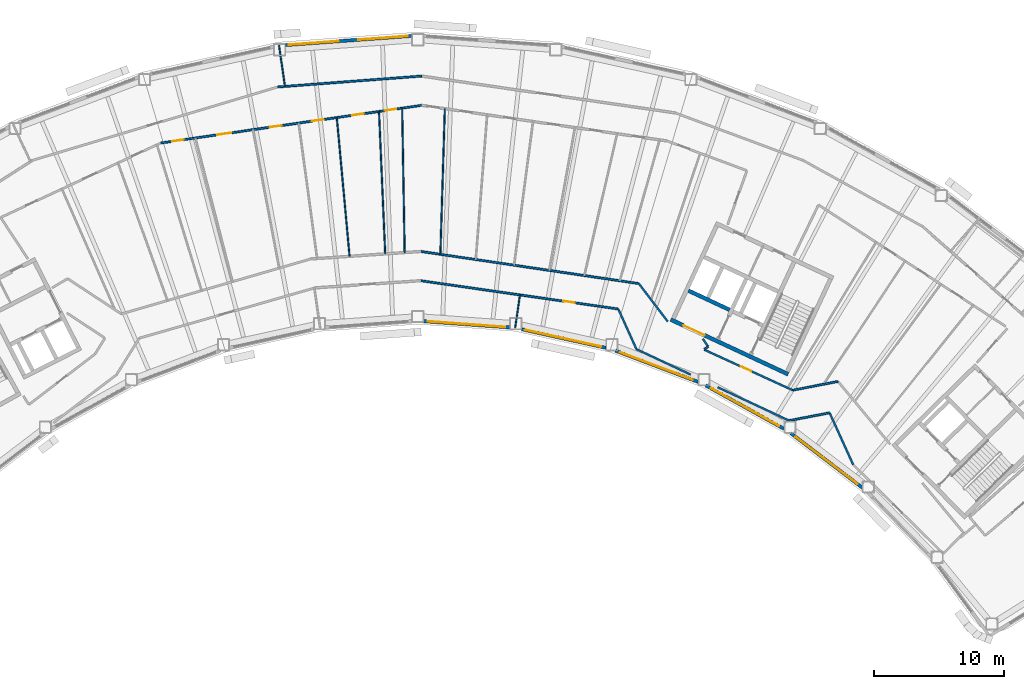
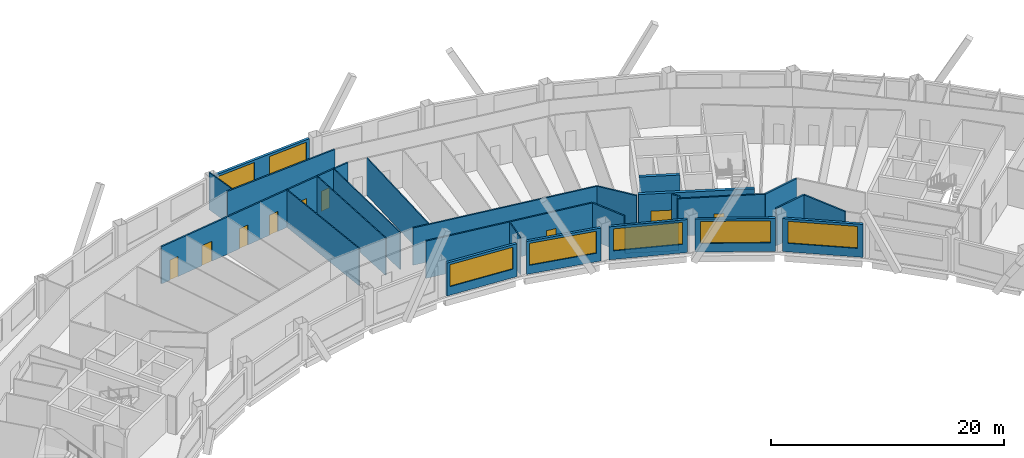
# One storey, part 8 of 14: 28 walls, 9 doors, 7 windows, 16 openings.
"""IFC4 building model written with IfcOpenShell, lengths in metres."""

import ifcopenshell
import ifcopenshell.guid

model = None  # the IFC model being written
_history = None  # IfcOwnerHistory: only IFC2X3 demands one
_inside = {}  # id of a spatial element -> (the spatial element, [elements in it])
_under = {}  # id of a project, library or spatial element -> (it, [spatial elements below it])
_declared = {}  # id of a project -> (the project, [libraries it declares])
_typed = {}  # id of a type object -> (the type object, [elements of that type])
_made_of = {}  # id of a material, layer set ... -> (it, [elements and type objects made of it])


def new_model(schema):
    """Start an empty IFC model of exactly this schema.

    Asked for "IFC4X3", IfcOpenShell would pick the latest addendum, in which some entities
    have other attributes; the version numbers below select the first issue.
    IFC2X3 requires an IfcOwnerHistory on every rooted entity: one is made here for all.
    """
    global model, _history
    if schema == "IFC4X3":
        model = ifcopenshell.file(schema_version=(4, 3, 0, 0))
    else:
        model = ifcopenshell.file(schema=schema)
    _inside.clear()
    _under.clear()
    _declared.clear()
    _typed.clear()
    _made_of.clear()
    _history = None
    if model.schema == "IFC2X3":
        org = make("IfcOrganization", Name="unknown")
        user = make(
            "IfcPersonAndOrganization",
            ThePerson=make("IfcPerson", FamilyName="unknown"),
            TheOrganization=org,
        )
        app = make(
            "IfcApplication",
            ApplicationDeveloper=org,
            Version="unknown",
            ApplicationFullName="unknown",
            ApplicationIdentifier="unknown",
        )
        _history = make(
            "IfcOwnerHistory",
            OwningUser=user,
            OwningApplication=app,
            ChangeAction="ADDED",
            CreationDate=0,
        )
    return model


def make(cls, **values):
    """One entity of the class cls with the attributes given. An attribute that is None is left unset."""
    return model.create_entity(
        cls, **{name: value for name, value in values.items() if value is not None}
    )


def rooted(cls, **values):
    """An entity with a GlobalId (a new one), such as an element, a storey or a relation."""
    return make(cls, GlobalId=ifcopenshell.guid.new(), OwnerHistory=_history, **values)


def si_unit(unit_type, name, prefix=None):
    """IfcSIUnit, for example si_unit("LENGTHUNIT", "METRE", prefix="MILLI")."""
    return make("IfcSIUnit", UnitType=unit_type, Prefix=prefix, Name=name)


def assignment(units):
    """IfcUnitAssignment: the units of a project."""
    return None if units is None else make("IfcUnitAssignment", Units=units)


def point(xyz):
    """IfcCartesianPoint."""
    return None if xyz is None else make("IfcCartesianPoint", Coordinates=xyz)


def direction(xyz):
    """IfcDirection."""
    return None if xyz is None else make("IfcDirection", DirectionRatios=xyz)


def frame(location, z_axis=None, x_axis=None):
    """IfcAxis2Placement3D, a coordinate frame: its origin and axes. An axis left out is left unset."""
    return make(
        "IfcAxis2Placement3D",
        Location=point(location),
        Axis=direction(z_axis),
        RefDirection=direction(x_axis),
    )


def frame_2d(location, x_axis=None):
    """IfcAxis2Placement2D, a coordinate frame in the plane: its origin and x axis."""
    return make(
        "IfcAxis2Placement2D", Location=point(location), RefDirection=direction(x_axis)
    )


def origin():
    """The frame at (0, 0, 0) with its axes left unset."""
    return frame((0.0, 0.0, 0.0))


def place(relative_to, where):
    """IfcLocalPlacement: puts the frame where relative to a parent placement (None: the world)."""
    return make(
        "IfcLocalPlacement", PlacementRelTo=relative_to, RelativePlacement=where
    )


def context(
    kind, dimensions, precision=None, world=None, true_north=None, identifier=None
):
    """IfcGeometricRepresentationContext, for example the 3D "Model" context."""
    return make(
        "IfcGeometricRepresentationContext",
        ContextIdentifier=identifier,
        ContextType=kind,
        CoordinateSpaceDimension=dimensions,
        Precision=precision,
        WorldCoordinateSystem=world,
        TrueNorth=true_north,
    )


def subcontext(parent, identifier, kind, view, scale=None):
    """IfcGeometricRepresentationSubContext, for example "Body" below "Model"."""
    return make(
        "IfcGeometricRepresentationSubContext",
        ContextIdentifier=identifier,
        ContextType=kind,
        ParentContext=parent,
        TargetScale=scale,
        TargetView=view,
    )


def project(units=None, contexts=None):
    """IfcProject with its units and contexts."""
    return rooted(
        "IfcProject",
        Name="project",
        RepresentationContexts=contexts,
        UnitsInContext=assignment(units),
    )


def spatial(cls, under=None, at=None, **own):
    """A site, building, storey or space (cls), placed at a placement, below another one or the project."""
    s = rooted(cls, ObjectPlacement=at, **own)
    if under is not None:
        _under.setdefault(under.id(), (under, []))[1].append(s)
    return s


def profile(cls, at=None, kind="AREA", **sizes):
    """A parametric profile (cls). Its sizes go by their IFC names, for example OverallWidth=200.0."""
    return make(cls, ProfileType=kind, Position=at, **sizes)


def rectangle(**sizes):
    """IfcRectangleProfileDef."""
    return profile("IfcRectangleProfileDef", **sizes)


def extrude(swept, where, along, depth):
    """IfcExtrudedAreaSolid: the profile swept, set in the frame where, extruded along a direction by depth."""
    return make(
        "IfcExtrudedAreaSolid",
        SweptArea=swept,
        Position=where,
        ExtrudedDirection=direction(along),
        Depth=depth,
    )


def shape(context_of_items, identifier, shape_type, items):
    """IfcShapeRepresentation: the items that make up one representation, for example the "Body"."""
    return make(
        "IfcShapeRepresentation",
        ContextOfItems=context_of_items,
        RepresentationIdentifier=identifier,
        RepresentationType=shape_type,
        Items=items,
    )


def material(Name=None, Category=None):
    """IfcMaterial."""
    return make("IfcMaterial", Name=Name, Category=Category)


def layer(
    of_material, thickness, ventilated=None, Name=None, Category=None, Priority=None
):
    """IfcMaterialLayer: one layer of a wall or slab, of a material (None: an air gap)."""
    return make(
        "IfcMaterialLayer",
        Material=of_material,
        LayerThickness=thickness,
        IsVentilated=ventilated,
        Name=Name,
        Category=Category,
        Priority=Priority,
    )


def layer_set(layers, Name=None):
    """IfcMaterialLayerSet."""
    return make("IfcMaterialLayerSet", MaterialLayers=layers, LayerSetName=Name)


def made_of(thing, what):
    """Note that an element or type object is made of a material, layer set ...; save() writes the relation."""
    if what is not None:
        _made_of.setdefault(what.id(), (what, []))[1].append(thing)
    return thing


def type_object(cls, material=None, **own):
    """A type object (cls), such as IfcWallType, which elements share."""
    return made_of(rooted(cls, **own), material)


def element(
    cls,
    number,
    at=None,
    inside=None,
    cuts=None,
    type_object=None,
    material=None,
    context=None,
    identifier="Body",
    shape_type=None,
    held_by="IfcProductDefinitionShape",
    body=None,
    shapes=None,
    **own,
):
    """One element of the class cls, such as IfcWall. Its Tag is "e" and its number.

    at: its placement. inside: the storey or other place that contains it. cuts: it is an
    opening in that element (IfcRelVoidsElement). A single representation is given by context,
    identifier, shape_type and body (its items); several are given by shapes. held_by: the class
    of the entity that holds the representations. save() writes the other relations.
    """
    e = rooted(cls, Tag="e%d" % number, ObjectPlacement=at, **own)
    if body is not None:
        shapes = [shape(context, identifier, shape_type, body)]
    if shapes is not None:
        e.Representation = make(held_by, Representations=shapes)
    if inside is not None:
        _inside.setdefault(inside.id(), (inside, []))[1].append(e)
    if cuts is not None:
        rooted(
            "IfcRelVoidsElement", RelatingBuildingElement=cuts, RelatedOpeningElement=e
        )
    if type_object is not None:
        _typed.setdefault(type_object.id(), (type_object, []))[1].append(e)
    return made_of(e, material)


def fill(opening, filler):
    """IfcRelFillsElement: the door or window that sits in an opening."""
    return rooted(
        "IfcRelFillsElement",
        RelatingOpeningElement=opening,
        RelatedBuildingElement=filler,
    )


def aggregate(whole, parts):
    """IfcRelAggregates: a whole, such as a stair, and the parts it consists of."""
    return rooted("IfcRelAggregates", RelatingObject=whole, RelatedObjects=parts)


def save(model, path):
    """Write the relations noted so far, then the file.

    IfcRelAggregates (storeys below a building ...), IfcRelContainedInSpatialStructure (elements
    in a storey), IfcRelDefinesByType, IfcRelAssociatesMaterial and IfcRelDeclares: one each for
    every whole, place, type object, material and project.
    """
    for whole, parts in _under.values():
        aggregate(whole, parts)
    for where, things in _inside.values():
        rooted(
            "IfcRelContainedInSpatialStructure",
            RelatedElements=things,
            RelatingStructure=where,
        )
    for kind, things in _typed.values():
        rooted("IfcRelDefinesByType", RelatedObjects=things, RelatingType=kind)
    for what, things in _made_of.values():
        rooted("IfcRelAssociatesMaterial", RelatedObjects=things, RelatingMaterial=what)
    for by, libraries in _declared.values():
        rooted("IfcRelDeclares", RelatingContext=by, RelatedDefinitions=libraries)
    model.write(path)


model = new_model("IFC4")

# Units and contexts
model_context = context("Model", 3, precision=1e-05, world=origin(), true_north=direction((0.0, 1.0)))
body_context = subcontext(model_context, "Body", "Model", "MODEL_VIEW")
ifc_project = project(units=[si_unit("LENGTHUNIT", "METRE"), si_unit("AREAUNIT", "SQUARE_METRE"), si_unit("VOLUMEUNIT", "CUBIC_METRE"), si_unit("PLANEANGLEUNIT", "RADIAN"), si_unit("MASSUNIT", "GRAM", prefix="KILO")], contexts=[model_context])

# Site, building, storey
site_placement = place(None, origin())
site = spatial("IfcSite", under=ifc_project, at=site_placement, CompositionType="ELEMENT")
building_placement = place(site_placement, origin())
building = spatial("IfcBuilding", under=site, at=building_placement, Name="Tuul Gate Civic Tower", CompositionType="ELEMENT")
storey_placement = place(building_placement, frame((0.0, 0.0, 217.89990234375)))
storey = spatial("IfcBuildingStorey", under=building, at=storey_placement, Name="Level 49", CompositionType="ELEMENT", Elevation=217.89990234375)

# Wall, opening, door
ifc_material_1 = material(Name="Concrete C50/60", Category="concrete")
ifc_layer_1 = layer(ifc_material_1, 0.300048828125)
ifc_layer_set_1 = layer_set([ifc_layer_1], Name="Concrete C50/60")
wall_type_1 = type_object("IfcWallType", Name="Core wall C50/60", PredefinedType="SHEAR", material=ifc_layer_set_1)
wall_1_placement = place(storey_placement, frame((34.5283203125, -7.25, 0.0), z_axis=(0.0, 0.0, 1.0), x_axis=(-0.906310338845, 0.422612789327, 0.0)))
wall_1 = element("IfcWall", 1, at=wall_1_placement, inside=storey, type_object=wall_type_1, Name="Core wall", PredefinedType="SHEAR", context=body_context, shape_type="SweptSolid", body=[
    extrude(rectangle(XDim=9.999755859375, YDim=0.300048828125, at=frame_2d((5.0, 0.0))), origin(), (0.0, 0.0, 1.0), 3.900146484375),
])
opening_1_placement = place(wall_1_placement, frame((7.125, 0.0, 0.0)))
opening_1 = element("IfcOpeningElement", 2, at=opening_1_placement, cuts=wall_1, Name="Opening LB-E3-LOBBY-1", PredefinedType="OPENING", context=body_context, shape_type="SweptSolid", body=[
    extrude(rectangle(XDim=1.800048828125, YDim=2.10009765625, at=frame_2d((0.89990234375, 1.050048828125))), frame((0.0, 0.16015625, 0.0), z_axis=(0.0, -1.0, 0.0), x_axis=(1.0, 0.0, 0.0)), (0.0, 0.0, 1.0), 0.320068359375),
])
ifc_material_2 = material(Name="Steel", Category="steel")
door_type_1 = type_object("IfcDoorType", Name="Lobby door", OperationType="DOUBLE_DOOR_SINGLE_SWING", PredefinedType="DOOR", material=ifc_material_2)
door_1_placement = place(opening_1_placement, frame((1.800048828125, 0.0, 0.0), z_axis=(0.0, 0.0, 1.0), x_axis=(-1.0, 0.0, 0.0)))
door_1 = element("IfcDoor", 3, at=door_1_placement, inside=storey, type_object=door_type_1, Name="Lobby door E3-LOBBY", OperationType="DOUBLE_DOOR_SINGLE_SWING", OverallHeight=2.10009765625, OverallWidth=1.800048828125, PredefinedType="DOOR", context=body_context, shape_type="SweptSolid", body=[
    extrude(rectangle(XDim=1.800048828125, YDim=2.10009765625, at=frame_2d((0.900146484375, 1.050048828125))), frame((0.0, 0.02490234375, 0.0), z_axis=(0.0, -1.0, 0.0), x_axis=(1.0, 0.0, 0.0)), (0.0, 0.0, 1.0), 0.050048828125),
])
fill(opening_1, door_1)

# Walls
wall_2_placement = place(storey_placement, frame((30.0078125, -2.2734375, 0.0), z_axis=(0.0, 0.0, 1.0), x_axis=(-0.90630071767, 0.422633421716, 0.0)))
element("IfcWall", 4, at=wall_2_placement, inside=storey, type_object=wall_type_1, Name="Core wall", PredefinedType="SHEAR", context=body_context, shape_type="SweptSolid", body=[
    extrude(rectangle(XDim=3.5, YDim=0.300048828125, at=frame_2d((1.75, 0.0))), origin(), (0.0, 0.0, 1.0), 3.900146484375),
])
ifc_material_3 = material(Name="Gypsum board partition")
ifc_layer_2 = layer(ifc_material_3, 0.14990234375)
ifc_layer_set_2 = layer_set([ifc_layer_2], Name="Gypsum board partition")
wall_type_2 = type_object("IfcWallType", Name="Corridor wall P150", PredefinedType="PARTITIONING", material=ifc_layer_set_2)
wall_3_placement = place(storey_placement, frame((-4.85888671875, 14.919677734375, 0.0), z_axis=(0.0, 0.0, 1.0), x_axis=(0.997140910872, 0.075564567521, 0.0)))
element("IfcWall", 5, at=wall_3_placement, inside=storey, type_object=wall_type_2, Name="p011", PredefinedType="PARTITIONING", context=body_context, shape_type="SweptSolid", body=[
    extrude(rectangle(XDim=11.133544921875, YDim=0.14990234375, at=frame_2d((5.56689453125, 0.0))), origin(), (0.0, 0.0, 1.0), 3.900146484375),
])
wall_4_placement = place(storey_placement, frame((34.597900390625, -10.8232421875, 0.0), z_axis=(0.0, 0.0, 1.0), x_axis=(0.981761729648, 0.190115507518, 0.0)))
element("IfcWall", 6, at=wall_4_placement, inside=storey, type_object=wall_type_2, Name="p029", PredefinedType="PARTITIONING", context=body_context, shape_type="SweptSolid", body=[
    extrude(rectangle(XDim=3.162841796875, YDim=0.14990234375, at=frame_2d((1.58154296875, 0.0))), origin(), (0.0, 0.0, 1.0), 3.900146484375),
])
wall_5_placement = place(storey_placement, frame((37.725830078125, -10.233642578125, 0.0), z_axis=(0.0, 0.0, 1.0), x_axis=(0.414462049887, -0.910066596027, 0.0)))
element("IfcWall", 7, at=wall_5_placement, inside=storey, type_object=wall_type_2, Name="p030", PredefinedType="PARTITIONING", context=body_context, shape_type="SweptSolid", body=[
    extrude(rectangle(XDim=4.380859375, YDim=0.14990234375, at=frame_2d((2.1904296875, 0.0))), origin(), (0.0, 0.0, 1.0), 3.900146484375),
])

# Wall, opening, door
wall_6_placement = place(storey_placement, frame((6.18603515625, -0.026123046875, 0.0), z_axis=(0.0, 0.0, 1.0), x_axis=(0.989879513226, -0.141910356546, 0.0)))
wall_6 = element("IfcWall", 8, at=wall_6_placement, inside=storey, type_object=wall_type_2, Name="p034", PredefinedType="PARTITIONING", context=body_context, shape_type="SweptSolid", body=[
    extrude(rectangle(XDim=15.376708984375, YDim=0.14990234375, at=frame_2d((7.6884765625, 0.0))), origin(), (0.0, 0.0, 1.0), 3.900146484375),
])
opening_2_placement = place(wall_6_placement, frame((11.101806640625, 0.0, 0.0)))
opening_2 = element("IfcOpeningElement", 9, at=opening_2_placement, cuts=wall_6, Name="Opening R-D08", PredefinedType="OPENING", context=body_context, shape_type="SweptSolid", body=[
    extrude(rectangle(XDim=0.89990234375, YDim=2.10009765625, at=frame_2d((0.449951171875, 1.050048828125))), frame((0.0, 0.0849609375, 0.0), z_axis=(0.0, -1.0, 0.0), x_axis=(1.0, 0.0, 0.0)), (0.0, 0.0, 1.0), 0.169921875),
])
ifc_material_4 = material(Name="Timber door leaf", Category="wood")
door_type_2 = type_object("IfcDoorType", Name="Door D09", OperationType="NOTDEFINED", PredefinedType="DOOR", material=ifc_material_4)
door_2_placement = place(opening_2_placement, frame((0.89990234375, 0.0, 0.0), z_axis=(0.0, 0.0, 1.0), x_axis=(-1.0, 0.0, 0.0)))
door_2 = element("IfcDoor", 10, at=door_2_placement, inside=storey, type_object=door_type_2, Name="Door R-D08", OperationType="SINGLE_SWING_LEFT", OverallHeight=2.10009765625, OverallWidth=0.89990234375, PredefinedType="DOOR", context=body_context, shape_type="SweptSolid", body=[
    extrude(rectangle(XDim=0.89990234375, YDim=2.10009765625, at=frame_2d((0.449951171875, 1.050048828125))), frame((0.0, 0.02490234375, 0.0), z_axis=(0.0, -1.0, 0.0), x_axis=(1.0, 0.0, 0.0)), (0.0, 0.0, 1.0), 0.050048828125),
])
fill(opening_2, door_2)

# Walls
wall_7_placement = place(storey_placement, frame((21.42333984375, -2.220458984375, 0.0), z_axis=(0.0, 0.0, 1.0), x_axis=(0.411432485151, -0.911440239491, 0.0)))
element("IfcWall", 11, at=wall_7_placement, inside=storey, type_object=wall_type_2, Name="p035", PredefinedType="PARTITIONING", context=body_context, shape_type="SweptSolid", body=[
    extrude(rectangle(XDim=3.39306640625, YDim=0.14990234375, at=frame_2d((1.696533203125, 0.0))), origin(), (0.0, 0.0, 1.0), 3.900146484375),
])
wall_8_placement = place(storey_placement, frame((34.884521484375, -8.47607421875, 0.0), z_axis=(0.0, 0.0, 1.0), x_axis=(0.981755019351, 0.190150156398, 0.0)))
element("IfcWall", 12, at=wall_8_placement, inside=storey, type_object=wall_type_2, Name="p054", PredefinedType="PARTITIONING", context=body_context, shape_type="SweptSolid", body=[
    extrude(rectangle(XDim=3.55126953125, YDim=0.14990234375, at=frame_2d((1.775634765625, 0.0))), origin(), (0.0, 0.0, 1.0), 3.900146484375),
])

# Wall, opening, door
wall_9_placement = place(storey_placement, frame((28.0576171875, -5.3544921875, 0.0), z_axis=(0.0, 0.0, 1.0), x_axis=(0.909226191129, -0.41630245419, 0.0)))
wall_9 = element("IfcWall", 13, at=wall_9_placement, inside=storey, type_object=wall_type_2, Name="p056", PredefinedType="PARTITIONING", context=body_context, shape_type="SweptSolid", body=[
    extrude(rectangle(XDim=7.494140625, YDim=0.14990234375, at=frame_2d((3.7470703125, 0.0))), origin(), (0.0, 0.0, 1.0), 3.900146484375),
])
opening_3_placement = place(wall_9_placement, frame((3.0830078125, 0.0, 0.0)))
opening_3 = element("IfcOpeningElement", 14, at=opening_3_placement, cuts=wall_9, Name="Opening R-D16", PredefinedType="OPENING", context=body_context, shape_type="SweptSolid", body=[
    extrude(rectangle(XDim=0.89990234375, YDim=2.10009765625, at=frame_2d((0.449951171875, 1.050048828125))), frame((0.0, 0.0849609375, 0.0), z_axis=(0.0, -1.0, 0.0), x_axis=(1.0, 0.0, 0.0)), (0.0, 0.0, 1.0), 0.169921875),
])
door_3_placement = place(opening_3_placement, frame((0.89990234375, 0.0, 0.0), z_axis=(0.0, 0.0, 1.0), x_axis=(-1.0, 0.0, 0.0)))
door_3 = element("IfcDoor", 15, at=door_3_placement, inside=storey, type_object=door_type_2, Name="Door R-D16", OperationType="SINGLE_SWING_LEFT", OverallHeight=2.10009765625, OverallWidth=0.89990234375, PredefinedType="DOOR", context=body_context, shape_type="SweptSolid", body=[
    extrude(rectangle(XDim=0.89990234375, YDim=2.10009765625, at=frame_2d((0.449951171875, 1.050048828125))), frame((0.0, 0.02490234375, 0.0), z_axis=(0.0, -1.0, 0.0), x_axis=(1.0, 0.0, 0.0)), (0.0, 0.0, 1.0), 0.050048828125),
])
fill(opening_3, door_3)

# Walls
wall_10_placement = place(storey_placement, frame((28.054443359375, -5.3193359375, 0.0), z_axis=(0.0, 0.0, 1.0), x_axis=(0.823709335363, 0.567012284554, 0.0)))
element("IfcWall", 16, at=wall_10_placement, inside=storey, type_object=wall_type_2, Name="p057", PredefinedType="PARTITIONING", context=body_context, shape_type="SweptSolid", body=[
    extrude(rectangle(XDim=0.3642578125, YDim=0.14990234375, at=frame_2d((0.18212890625, 0.0))), origin(), (0.0, 0.0, 1.0), 3.900146484375),
])
wall_11_placement = place(storey_placement, frame((27.939697265625, -4.50927734375, 0.0), z_axis=(0.0, 0.0, 1.0), x_axis=(0.567265005599, -0.823535314011, 0.0)))
element("IfcWall", 17, at=wall_11_placement, inside=storey, type_object=wall_type_2, Name="p058", PredefinedType="PARTITIONING", context=body_context, shape_type="SweptSolid", body=[
    extrude(rectangle(XDim=0.731689453125, YDim=0.14990234375, at=frame_2d((0.36572265625, 0.0))), origin(), (0.0, 0.0, 1.0), 3.900146484375),
])
wall_12_placement = place(storey_placement, frame((23.0029296875, -0.25048828125, 0.0), z_axis=(0.0, 0.0, 1.0), x_axis=(0.606509713776, -0.795076076294, 0.0)))
element("IfcWall", 18, at=wall_12_placement, inside=storey, type_object=wall_type_2, Name="p063", PredefinedType="PARTITIONING", context=body_context, shape_type="SweptSolid", body=[
    extrude(rectangle(XDim=3.673095703125, YDim=0.14990234375, at=frame_2d((1.83642578125, 0.0))), origin(), (0.0, 0.0, 1.0), 3.900146484375),
])
wall_13_placement = place(storey_placement, frame((6.18896484375, 2.2294921875, 0.0), z_axis=(0.0, 0.0, 1.0), x_axis=(0.98930158276, -0.145884811921, 0.0)))
element("IfcWall", 19, at=wall_13_placement, inside=storey, type_object=wall_type_2, Name="p066", PredefinedType="PARTITIONING", context=body_context, shape_type="SweptSolid", body=[
    extrude(rectangle(XDim=16.99462890625, YDim=0.14990234375, at=frame_2d((8.497314453125, 0.0))), origin(), (0.0, 0.0, 1.0), 3.900146484375),
])

# Wall, openings, doors
wall_14_placement = place(storey_placement, frame((-13.8857421875, 10.595947265625, 0.0), z_axis=(0.0, 0.0, 1.0), x_axis=(0.989722071507, 0.143004269765, 0.0)))
wall_14 = element("IfcWall", 20, at=wall_14_placement, inside=storey, type_object=wall_type_2, Name="p073", PredefinedType="PARTITIONING", context=body_context, shape_type="SweptSolid", body=[
    extrude(rectangle(XDim=20.338134765625, YDim=0.14990234375, at=frame_2d((10.1689453125, 0.0))), origin(), (0.0, 0.0, 1.0), 3.900146484375),
])
opening_4_placement = place(wall_14_placement, frame((17.46826171875, 0.0, 0.0)))
opening_4 = element("IfcOpeningElement", 21, at=opening_4_placement, cuts=wall_14, Name="Opening R-D25", PredefinedType="OPENING", context=body_context, shape_type="SweptSolid", body=[
    extrude(rectangle(XDim=0.89990234375, YDim=2.10009765625, at=frame_2d((0.449951171875, 1.050048828125))), frame((0.0, 0.0849609375, 0.0), z_axis=(0.0, -1.0, 0.0), x_axis=(1.0, 0.0, 0.0)), (0.0, 0.0, 1.0), 0.169921875),
])
opening_5_placement = place(wall_14_placement, frame((14.921875, 0.0, 0.0)))
opening_5 = element("IfcOpeningElement", 22, at=opening_5_placement, cuts=wall_14, Name="Opening R-D26", PredefinedType="OPENING", context=body_context, shape_type="SweptSolid", body=[
    extrude(rectangle(XDim=0.89990234375, YDim=2.10009765625, at=frame_2d((0.449951171875, 1.050048828125))), frame((0.0, 0.0849609375, 0.0), z_axis=(0.0, -1.0, 0.0), x_axis=(1.0, 0.0, 0.0)), (0.0, 0.0, 1.0), 0.169921875),
])
opening_6_placement = place(wall_14_placement, frame((11.791015625, 0.0, 0.0)))
opening_6 = element("IfcOpeningElement", 23, at=opening_6_placement, cuts=wall_14, Name="Opening R-D27", PredefinedType="OPENING", context=body_context, shape_type="SweptSolid", body=[
    extrude(rectangle(XDim=0.89990234375, YDim=2.10009765625, at=frame_2d((0.449951171875, 1.050048828125))), frame((0.0, 0.0849609375, 0.0), z_axis=(0.0, -1.0, 0.0), x_axis=(1.0, 0.0, 0.0)), (0.0, 0.0, 1.0), 0.169921875),
])
opening_7_placement = place(wall_14_placement, frame((8.5205078125, 0.0, 0.0)))
opening_7 = element("IfcOpeningElement", 24, at=opening_7_placement, cuts=wall_14, Name="Opening R-D28", PredefinedType="OPENING", context=body_context, shape_type="SweptSolid", body=[
    extrude(rectangle(XDim=0.89990234375, YDim=2.10009765625, at=frame_2d((0.449951171875, 1.050048828125))), frame((0.0, 0.0849609375, 0.0), z_axis=(0.0, -1.0, 0.0), x_axis=(1.0, 0.0, 0.0)), (0.0, 0.0, 1.0), 0.169921875),
])
opening_8_placement = place(wall_14_placement, frame((4.39501953125, 0.0, 0.0)))
opening_8 = element("IfcOpeningElement", 25, at=opening_8_placement, cuts=wall_14, Name="Opening R-D29", PredefinedType="OPENING", context=body_context, shape_type="SweptSolid", body=[
    extrude(rectangle(XDim=1.10009765625, YDim=2.10009765625, at=frame_2d((0.550048828125, 1.050048828125))), frame((0.0, 0.0849609375, 0.0), z_axis=(0.0, -1.0, 0.0), x_axis=(1.0, 0.0, 0.0)), (0.0, 0.0, 1.0), 0.169921875),
])
opening_9_placement = place(wall_14_placement, frame((0.9013671875, 0.0, 0.0)))
opening_9 = element("IfcOpeningElement", 26, at=opening_9_placement, cuts=wall_14, Name="Opening R-D30", PredefinedType="OPENING", context=body_context, shape_type="SweptSolid", body=[
    extrude(rectangle(XDim=0.89990234375, YDim=2.10009765625, at=frame_2d((0.449951171875, 1.050048828125))), frame((0.0, 0.0849609375, 0.0), z_axis=(0.0, -1.0, 0.0), x_axis=(1.0, 0.0, 0.0)), (0.0, 0.0, 1.0), 0.169921875),
])
door_4_placement = place(opening_4_placement, frame((0.89990234375, 0.0, 0.0), z_axis=(0.0, 0.0, 1.0), x_axis=(-1.0, 0.0, 0.0)))
door_4 = element("IfcDoor", 27, at=door_4_placement, inside=storey, type_object=door_type_2, Name="Door R-D25", OperationType="SINGLE_SWING_LEFT", OverallHeight=2.10009765625, OverallWidth=0.89990234375, PredefinedType="DOOR", context=body_context, shape_type="SweptSolid", body=[
    extrude(rectangle(XDim=0.89990234375, YDim=2.10009765625, at=frame_2d((0.449951171875, 1.050048828125))), frame((0.0, 0.02490234375, 0.0), z_axis=(0.0, -1.0, 0.0), x_axis=(1.0, 0.0, 0.0)), (0.0, 0.0, 1.0), 0.050048828125),
])
fill(opening_4, door_4)
door_5_placement = place(opening_5_placement, frame((0.89990234375, 0.0, 0.0), z_axis=(0.0, 0.0, 1.0), x_axis=(-1.0, 0.0, 0.0)))
door_5 = element("IfcDoor", 28, at=door_5_placement, inside=storey, type_object=door_type_2, Name="Door R-D26", OperationType="SINGLE_SWING_LEFT", OverallHeight=2.10009765625, OverallWidth=0.89990234375, PredefinedType="DOOR", context=body_context, shape_type="SweptSolid", body=[
    extrude(rectangle(XDim=0.89990234375, YDim=2.10009765625, at=frame_2d((0.449951171875, 1.050048828125))), frame((0.0, 0.02490234375, 0.0), z_axis=(0.0, -1.0, 0.0), x_axis=(1.0, 0.0, 0.0)), (0.0, 0.0, 1.0), 0.050048828125),
])
fill(opening_5, door_5)
door_6_placement = place(opening_6_placement, frame((0.89990234375, 0.0, 0.0), z_axis=(0.0, 0.0, 1.0), x_axis=(-1.0, 0.0, 0.0)))
door_6 = element("IfcDoor", 29, at=door_6_placement, inside=storey, type_object=door_type_2, Name="Door R-D27", OperationType="SINGLE_SWING_LEFT", OverallHeight=2.10009765625, OverallWidth=0.89990234375, PredefinedType="DOOR", context=body_context, shape_type="SweptSolid", body=[
    extrude(rectangle(XDim=0.89990234375, YDim=2.10009765625, at=frame_2d((0.449951171875, 1.050048828125))), frame((0.0, 0.02490234375, 0.0), z_axis=(0.0, -1.0, 0.0), x_axis=(1.0, 0.0, 0.0)), (0.0, 0.0, 1.0), 0.050048828125),
])
fill(opening_6, door_6)
door_7_placement = place(opening_7_placement, frame((0.89990234375, 0.0, 0.0), z_axis=(0.0, 0.0, 1.0), x_axis=(-1.0, 0.0, 0.0)))
door_7 = element("IfcDoor", 30, at=door_7_placement, inside=storey, type_object=door_type_2, Name="Door R-D28", OperationType="SINGLE_SWING_LEFT", OverallHeight=2.10009765625, OverallWidth=0.89990234375, PredefinedType="DOOR", context=body_context, shape_type="SweptSolid", body=[
    extrude(rectangle(XDim=0.89990234375, YDim=2.10009765625, at=frame_2d((0.449951171875, 1.050048828125))), frame((0.0, 0.02490234375, 0.0), z_axis=(0.0, -1.0, 0.0), x_axis=(1.0, 0.0, 0.0)), (0.0, 0.0, 1.0), 0.050048828125),
])
fill(opening_7, door_7)
door_8_placement = place(opening_9_placement, frame((0.89990234375, 0.0, 0.0), z_axis=(0.0, 0.0, 1.0), x_axis=(-1.0, 0.0, 0.0)))
door_8 = element("IfcDoor", 31, at=door_8_placement, inside=storey, type_object=door_type_2, Name="Door R-D30", OperationType="SINGLE_SWING_LEFT", OverallHeight=2.10009765625, OverallWidth=0.89990234375, PredefinedType="DOOR", context=body_context, shape_type="SweptSolid", body=[
    extrude(rectangle(XDim=0.89990234375, YDim=2.10009765625, at=frame_2d((0.449951171875, 1.050048828125))), frame((0.0, 0.02490234375, 0.0), z_axis=(0.0, -1.0, 0.0), x_axis=(1.0, 0.0, 0.0)), (0.0, 0.0, 1.0), 0.050048828125),
])
fill(opening_9, door_8)
ifc_material_5 = material(Name="Timber door leaf", Category="wood")
door_type_3 = type_object("IfcDoorType", Name="Door D11", OperationType="NOTDEFINED", PredefinedType="DOOR", material=ifc_material_5)
door_9_placement = place(opening_8_placement, frame((1.10009765625, 0.0, 0.0), z_axis=(0.0, 0.0, 1.0), x_axis=(-1.0, 0.0, 0.0)))
door_9 = element("IfcDoor", 32, at=door_9_placement, inside=storey, type_object=door_type_3, Name="Door R-D29", OperationType="SINGLE_SWING_LEFT", OverallHeight=2.10009765625, OverallWidth=1.10009765625, PredefinedType="DOOR", context=body_context, shape_type="SweptSolid", body=[
    extrude(rectangle(XDim=1.10009765625, YDim=2.10009765625, at=frame_2d((0.550048828125, 1.050048828125))), frame((0.0, 0.02490234375, 0.0), z_axis=(0.0, -1.0, 0.0), x_axis=(1.0, 0.0, 0.0)), (0.0, 0.0, 1.0), 0.050048828125),
])
fill(opening_8, door_9)

# Walls
ifc_material_6 = material(Name="Gypsum board partition")
ifc_layer_3 = layer(ifc_material_6, 0.14990234375)
ifc_layer_set_3 = layer_set([ifc_layer_3], Name="Gypsum board partition")
wall_type_3 = type_object("IfcWallType", Name="Corridor wall P150 3000 HIGH", PredefinedType="PARTITIONING", material=ifc_layer_set_3)
wall_15_placement = place(storey_placement, frame((22.8203125, -5.31396484375, 0.0), z_axis=(0.0, 0.0, 1.0), x_axis=(0.905781382959, -0.423745308274, 0.0)))
element("IfcWall", 33, at=wall_15_placement, inside=storey, type_object=wall_type_3, Name="p027", PredefinedType="PARTITIONING", context=body_context, shape_type="SweptSolid", body=[
    extrude(rectangle(XDim=4.615478515625, YDim=0.14990234375, at=frame_2d((2.3076171875, 0.0))), origin(), (0.0, 0.0, 1.0), 3.0),
])
wall_16_placement = place(storey_placement, frame((29.090576171875, -8.247314453125, 0.0), z_axis=(0.0, 0.0, 1.0), x_axis=(0.905771253241, -0.423766960489, 0.0)))
element("IfcWall", 34, at=wall_16_placement, inside=storey, type_object=wall_type_3, Name="p028", PredefinedType="PARTITIONING", context=body_context, shape_type="SweptSolid", body=[
    extrude(rectangle(XDim=6.07861328125, YDim=0.14990234375, at=frame_2d((3.039306640625, 0.0))), origin(), (0.0, 0.0, 1.0), 3.0),
])

# Wall, openings, windows
ifc_material_7 = material(Name="Precast concrete C40/50", Category="concrete")
ifc_layer_4 = layer(ifc_material_7, 0.25)
ifc_layer_set_4 = layer_set([ifc_layer_4], Name="Precast concrete C40/50")
wall_type_4 = type_object("IfcWallType", Name="External wall", PredefinedType="STANDARD", material=ifc_layer_set_4)
wall_17_placement = place(storey_placement, frame((5.489990234375, 18.859130859375, 0.0), z_axis=(0.0, 0.0, 1.0), x_axis=(-0.997381037504, -0.07232610889, 0.0)))
wall_17 = element("IfcWall", 35, at=wall_17_placement, inside=storey, type_object=wall_type_4, Name="External wall", PredefinedType="STANDARD", context=body_context, shape_type="SweptSolid", body=[
    extrude(rectangle(XDim=9.775634765625, YDim=0.25, at=frame_2d((4.8876953125, 0.0))), origin(), (0.0, 0.0, 1.0), 3.4501953125),
])
opening_10_placement = place(wall_17_placement, frame((0.300537109375, 0.0, 0.89990234375)))
opening_10 = element("IfcOpeningElement", 36, at=opening_10_placement, cuts=wall_17, Name="Opening W22", PredefinedType="OPENING", context=body_context, shape_type="SweptSolid", body=[
    extrude(rectangle(XDim=3.85009765625, YDim=2.300048828125, at=frame_2d((1.925048828125, 1.14990234375))), frame((0.0, 0.135009765625, 0.0), z_axis=(0.0, -1.0, 0.0), x_axis=(1.0, 0.0, 0.0)), (0.0, 0.0, 1.0), 0.27001953125),
])
opening_11_placement = place(wall_17_placement, frame((5.672119140625, 0.0, 0.89990234375)))
opening_11 = element("IfcOpeningElement", 37, at=opening_11_placement, cuts=wall_17, Name="Opening W22", PredefinedType="OPENING", context=body_context, shape_type="SweptSolid", body=[
    extrude(rectangle(XDim=3.85009765625, YDim=2.300048828125, at=frame_2d((1.925048828125, 1.14990234375))), frame((0.0, 0.135009765625, 0.0), z_axis=(0.0, -1.0, 0.0), x_axis=(1.0, 0.0, 0.0)), (0.0, 0.0, 1.0), 0.27001953125),
])
ifc_material_8 = material(Name="Glass", Category="glass")
window_type_1 = type_object("IfcWindowType", Name="Window W22 3850 x 2300", PartitioningType="SINGLE_PANEL", PredefinedType="WINDOW", material=ifc_material_8)
window_1_placement = place(opening_10_placement, origin())
window_1 = element("IfcWindow", 38, at=window_1_placement, inside=storey, type_object=window_type_1, Name="Window", OverallHeight=2.300048828125, OverallWidth=3.85009765625, PartitioningType="SINGLE_PANEL", PredefinedType="WINDOW", context=body_context, shape_type="SweptSolid", body=[
    extrude(rectangle(XDim=3.85009765625, YDim=2.300048828125, at=frame_2d((1.925048828125, 1.14990234375))), frame((0.0, 0.030029296875, 0.0), z_axis=(0.0, -1.0, 0.0), x_axis=(1.0, 0.0, 0.0)), (0.0, 0.0, 1.0), 0.06005859375),
])
fill(opening_10, window_1)
window_2_placement = place(opening_11_placement, origin())
window_2 = element("IfcWindow", 39, at=window_2_placement, inside=storey, type_object=window_type_1, Name="Window", OverallHeight=2.300048828125, OverallWidth=3.85009765625, PartitioningType="SINGLE_PANEL", PredefinedType="WINDOW", context=body_context, shape_type="SweptSolid", body=[
    extrude(rectangle(XDim=3.85009765625, YDim=2.300048828125, at=frame_2d((1.925048828125, 1.14990234375))), frame((0.0, 0.030029296875, 0.0), z_axis=(0.0, -1.0, 0.0), x_axis=(1.0, 0.0, 0.0)), (0.0, 0.0, 1.0), 0.06005859375),
])
fill(opening_11, window_2)

# Wall, opening, window
wall_18_placement = place(storey_placement, frame((6.389892578125, -3.149169921875, 0.0), z_axis=(0.0, 0.0, 1.0), x_axis=(0.99739363413, -0.072152190518, 0.0)))
wall_18 = element("IfcWall", 40, at=wall_18_placement, inside=storey, type_object=wall_type_4, Name="External wall", PredefinedType="STANDARD", context=body_context, shape_type="SweptSolid", body=[
    extrude(rectangle(XDim=6.689453125, YDim=0.25, at=frame_2d((3.3447265625, 0.0))), origin(), (0.0, 0.0, 1.0), 3.4501953125),
])
opening_12_placement = place(wall_18_placement, frame((0.3212890625, 0.0, 0.89990234375)))
opening_12 = element("IfcOpeningElement", 41, at=opening_12_placement, cuts=wall_18, Name="Opening W26", PredefinedType="OPENING", context=body_context, shape_type="SweptSolid", body=[
    extrude(rectangle(XDim=6.0, YDim=2.300048828125, at=frame_2d((3.0, 1.14990234375))), frame((0.0, 0.135009765625, 0.0), z_axis=(0.0, -1.0, 0.0), x_axis=(1.0, 0.0, 0.0)), (0.0, 0.0, 1.0), 0.27001953125),
])
ifc_material_9 = material(Name="Glass", Category="glass")
window_type_2 = type_object("IfcWindowType", Name="Window W26 6000 x 2300", PartitioningType="SINGLE_PANEL", PredefinedType="WINDOW", material=ifc_material_9)
window_3_placement = place(opening_12_placement, origin())
window_3 = element("IfcWindow", 42, at=window_3_placement, inside=storey, type_object=window_type_2, Name="Window", OverallHeight=2.300048828125, OverallWidth=6.0, PartitioningType="SINGLE_PANEL", PredefinedType="WINDOW", context=body_context, shape_type="SweptSolid", body=[
    extrude(rectangle(XDim=6.0, YDim=2.300048828125, at=frame_2d((3.0, 1.14990234375))), frame((0.0, 0.030029296875, 0.0), z_axis=(0.0, -1.0, 0.0), x_axis=(1.0, 0.0, 0.0)), (0.0, 0.0, 1.0), 0.06005859375),
])
fill(opening_12, window_3)

wall_19_placement = place(storey_placement, frame((13.9619140625, -3.7705078125, 0.0), z_axis=(0.0, 0.0, 1.0), x_axis=(0.976561126712, -0.215240251333, 0.0)))
wall_19 = element("IfcWall", 43, at=wall_19_placement, inside=storey, type_object=wall_type_4, Name="External wall", PredefinedType="STANDARD", context=body_context, shape_type="SweptSolid", body=[
    extrude(rectangle(XDim=6.66943359375, YDim=0.25, at=frame_2d((3.334716796875, 0.0))), origin(), (0.0, 0.0, 1.0), 3.4501953125),
])
opening_13_placement = place(wall_19_placement, frame((0.263427734375, 0.0, 0.89990234375)))
opening_13 = element("IfcOpeningElement", 44, at=opening_13_placement, cuts=wall_19, Name="Opening W26", PredefinedType="OPENING", context=body_context, shape_type="SweptSolid", body=[
    extrude(rectangle(XDim=6.0, YDim=2.300048828125, at=frame_2d((3.0, 1.14990234375))), frame((0.0, 0.135009765625, 0.0), z_axis=(0.0, -1.0, 0.0), x_axis=(1.0, 0.0, 0.0)), (0.0, 0.0, 1.0), 0.27001953125),
])
window_4_placement = place(opening_13_placement, origin())
window_4 = element("IfcWindow", 45, at=window_4_placement, inside=storey, type_object=window_type_2, Name="Window", OverallHeight=2.300048828125, OverallWidth=6.0, PartitioningType="SINGLE_PANEL", PredefinedType="WINDOW", context=body_context, shape_type="SweptSolid", body=[
    extrude(rectangle(XDim=6.0, YDim=2.300048828125, at=frame_2d((3.0, 1.14990234375))), frame((0.0, 0.030029296875, 0.0), z_axis=(0.0, -1.0, 0.0), x_axis=(1.0, 0.0, 0.0)), (0.0, 0.0, 1.0), 0.06005859375),
])
fill(opening_13, window_4)

wall_20_placement = place(storey_placement, frame((21.197998046875, -5.423095703125, 0.0), z_axis=(0.0, 0.0, 1.0), x_axis=(0.935366308293, -0.353680462154, 0.0)))
wall_20 = element("IfcWall", 46, at=wall_20_placement, inside=storey, type_object=wall_type_4, Name="External wall", PredefinedType="STANDARD", context=body_context, shape_type="SweptSolid", body=[
    extrude(rectangle(XDim=6.818603515625, YDim=0.25, at=frame_2d((3.4091796875, 0.0))), origin(), (0.0, 0.0, 1.0), 3.4501953125),
])
opening_14_placement = place(wall_20_placement, frame((0.3818359375, 0.0, 0.89990234375)))
opening_14 = element("IfcOpeningElement", 47, at=opening_14_placement, cuts=wall_20, Name="Opening W26", PredefinedType="OPENING", context=body_context, shape_type="SweptSolid", body=[
    extrude(rectangle(XDim=6.0, YDim=2.300048828125, at=frame_2d((3.0, 1.14990234375))), frame((0.0, 0.135009765625, 0.0), z_axis=(0.0, -1.0, 0.0), x_axis=(1.0, 0.0, 0.0)), (0.0, 0.0, 1.0), 0.27001953125),
])
window_5_placement = place(opening_14_placement, origin())
window_5 = element("IfcWindow", 48, at=window_5_placement, inside=storey, type_object=window_type_2, Name="Window", OverallHeight=2.300048828125, OverallWidth=6.0, PartitioningType="SINGLE_PANEL", PredefinedType="WINDOW", context=body_context, shape_type="SweptSolid", body=[
    extrude(rectangle(XDim=6.0, YDim=2.300048828125, at=frame_2d((3.0, 1.14990234375))), frame((0.0, 0.030029296875, 0.0), z_axis=(0.0, -1.0, 0.0), x_axis=(1.0, 0.0, 0.0)), (0.0, 0.0, 1.0), 0.06005859375),
])
fill(opening_14, window_5)

wall_21_placement = place(storey_placement, frame((28.168701171875, -8.10791015625, 0.0), z_axis=(0.0, 0.0, 1.0), x_axis=(0.874623228644, -0.48480326723, 0.0)))
wall_21 = element("IfcWall", 49, at=wall_21_placement, inside=storey, type_object=wall_type_4, Name="External wall", PredefinedType="STANDARD", context=body_context, shape_type="SweptSolid", body=[
    extrude(rectangle(XDim=6.914306640625, YDim=0.25, at=frame_2d((3.45703125, 0.0))), origin(), (0.0, 0.0, 1.0), 3.4501953125),
])
opening_15_placement = place(wall_21_placement, frame((0.453369140625, 0.0, 0.89990234375)))
opening_15 = element("IfcOpeningElement", 50, at=opening_15_placement, cuts=wall_21, Name="Opening W26", PredefinedType="OPENING", context=body_context, shape_type="SweptSolid", body=[
    extrude(rectangle(XDim=6.0, YDim=2.300048828125, at=frame_2d((3.0, 1.14990234375))), frame((0.0, 0.135009765625, 0.0), z_axis=(0.0, -1.0, 0.0), x_axis=(1.0, 0.0, 0.0)), (0.0, 0.0, 1.0), 0.27001953125),
])
window_6_placement = place(opening_15_placement, origin())
window_6 = element("IfcWindow", 51, at=window_6_placement, inside=storey, type_object=window_type_2, Name="Window", OverallHeight=2.300048828125, OverallWidth=6.0, PartitioningType="SINGLE_PANEL", PredefinedType="WINDOW", context=body_context, shape_type="SweptSolid", body=[
    extrude(rectangle(XDim=6.0, YDim=2.300048828125, at=frame_2d((3.0, 1.14990234375))), frame((0.0, 0.030029296875, 0.0), z_axis=(0.0, -1.0, 0.0), x_axis=(1.0, 0.0, 0.0)), (0.0, 0.0, 1.0), 0.06005859375),
])
fill(opening_15, window_6)

wall_22_placement = place(storey_placement, frame((34.72216796875, -11.7890625, 0.0), z_axis=(0.0, 0.0, 1.0), x_axis=(0.795585585463, -0.605841213688, 0.0)))
wall_22 = element("IfcWall", 52, at=wall_22_placement, inside=storey, type_object=wall_type_4, Name="External wall", PredefinedType="STANDARD", context=body_context, shape_type="SweptSolid", body=[
    extrude(rectangle(XDim=6.955810546875, YDim=0.25, at=frame_2d((3.47802734375, 0.0))), origin(), (0.0, 0.0, 1.0), 3.4501953125),
])
opening_16_placement = place(wall_22_placement, frame((0.478759765625, 0.0, 0.89990234375)))
opening_16 = element("IfcOpeningElement", 53, at=opening_16_placement, cuts=wall_22, Name="Opening W26", PredefinedType="OPENING", context=body_context, shape_type="SweptSolid", body=[
    extrude(rectangle(XDim=6.0, YDim=2.300048828125, at=frame_2d((3.0, 1.14990234375))), frame((0.0, 0.135009765625, 0.0), z_axis=(0.0, -1.0, 0.0), x_axis=(1.0, 0.0, 0.0)), (0.0, 0.0, 1.0), 0.27001953125),
])
window_7_placement = place(opening_16_placement, origin())
window_7 = element("IfcWindow", 54, at=window_7_placement, inside=storey, type_object=window_type_2, Name="Window", OverallHeight=2.300048828125, OverallWidth=6.0, PartitioningType="SINGLE_PANEL", PredefinedType="WINDOW", context=body_context, shape_type="SweptSolid", body=[
    extrude(rectangle(XDim=6.0, YDim=2.300048828125, at=frame_2d((3.0, 1.14990234375))), frame((0.0, 0.030029296875, 0.0), z_axis=(0.0, -1.0, 0.0), x_axis=(1.0, 0.0, 0.0)), (0.0, 0.0, 1.0), 0.06005859375),
])
fill(opening_16, window_7)

# Walls
ifc_material_10 = material(Name="Gypsum board partition")
ifc_layer_5 = layer(ifc_material_10, 0.10009765625)
ifc_layer_set_5 = layer_set([ifc_layer_5], Name="Gypsum board partition")
wall_type_5 = type_object("IfcWallType", Name="Partition P100", PredefinedType="PARTITIONING", material=ifc_layer_set_5)
wall_23_placement = place(storey_placement, frame((-4.75732421875, 18.12109375, 0.0), z_axis=(0.0, 0.0, 1.0), x_axis=(0.144086910086, -0.989565036944, 0.0)))
element("IfcWall", 55, at=wall_23_placement, inside=storey, type_object=wall_type_5, Name="p006", PredefinedType="PARTITIONING", context=body_context, shape_type="SweptSolid", body=[
    extrude(rectangle(XDim=3.192138671875, YDim=0.10009765625, at=frame_2d((1.59619140625, 0.0))), origin(), (0.0, 0.0, 1.0), 3.900146484375),
])
wall_24_placement = place(storey_placement, frame((13.464111328125, -3.666015625, 0.0), z_axis=(0.0, 0.0, 1.0), x_axis=(0.144014267725, 0.989575611407, 0.0)))
element("IfcWall", 56, at=wall_24_placement, inside=storey, type_object=wall_type_5, Name="p033", PredefinedType="PARTITIONING", context=body_context, shape_type="SweptSolid", body=[
    extrude(rectangle(XDim=2.570068359375, YDim=0.10009765625, at=frame_2d((1.28515625, 0.0))), origin(), (0.0, 0.0, 1.0), 3.900146484375),
])
wall_25_placement = place(storey_placement, frame((7.691650390625, 2.008056640625, 0.0), z_axis=(0.0, 0.0, 1.0), x_axis=(0.03053304503, 0.99953375789, 0.0)))
element("IfcWall", 57, at=wall_25_placement, inside=storey, type_object=wall_type_5, Name="p071", PredefinedType="PARTITIONING", context=body_context, shape_type="SweptSolid", body=[
    extrude(rectangle(XDim=11.2421875, YDim=0.10009765625, at=frame_2d((5.62109375, 0.0))), origin(), (0.0, 0.0, 1.0), 3.900146484375),
])
wall_26_placement = place(storey_placement, frame((4.741943359375, 13.28759765625, 0.0), z_axis=(0.0, 0.0, 1.0), x_axis=(0.017437043549, -0.999847963199, 0.0)))
element("IfcWall", 58, at=wall_26_placement, inside=storey, type_object=wall_type_5, Name="p072", PredefinedType="PARTITIONING", context=body_context, shape_type="SweptSolid", body=[
    extrude(rectangle(XDim=11.14501953125, YDim=0.10009765625, at=frame_2d((5.572509765625, 0.0))), origin(), (0.0, 0.0, 1.0), 3.900146484375),
])
wall_27_placement = place(storey_placement, frame((2.954833984375, 13.029296875, 0.0), z_axis=(0.0, 0.0, 1.0), x_axis=(0.04362122473, -0.999048141359, 0.0)))
element("IfcWall", 59, at=wall_27_placement, inside=storey, type_object=wall_type_5, Name="p075", PredefinedType="PARTITIONING", context=body_context, shape_type="SweptSolid", body=[
    extrude(rectangle(XDim=10.997802734375, YDim=0.10009765625, at=frame_2d((5.4990234375, 0.0))), origin(), (0.0, 0.0, 1.0), 3.900146484375),
])
wall_28_placement = place(storey_placement, frame((-0.298583984375, 12.55908203125, 0.0), z_axis=(0.0, 0.0, 1.0), x_axis=(0.091481767884, -0.995806751405, 0.0)))
element("IfcWall", 60, at=wall_28_placement, inside=storey, type_object=wall_type_5, Name="p076", PredefinedType="PARTITIONING", context=body_context, shape_type="SweptSolid", body=[
    extrude(rectangle(XDim=10.749755859375, YDim=0.10009765625, at=frame_2d((5.375, 0.0))), origin(), (0.0, 0.0, 1.0), 3.900146484375),
])

save(model, "model.ifc")
